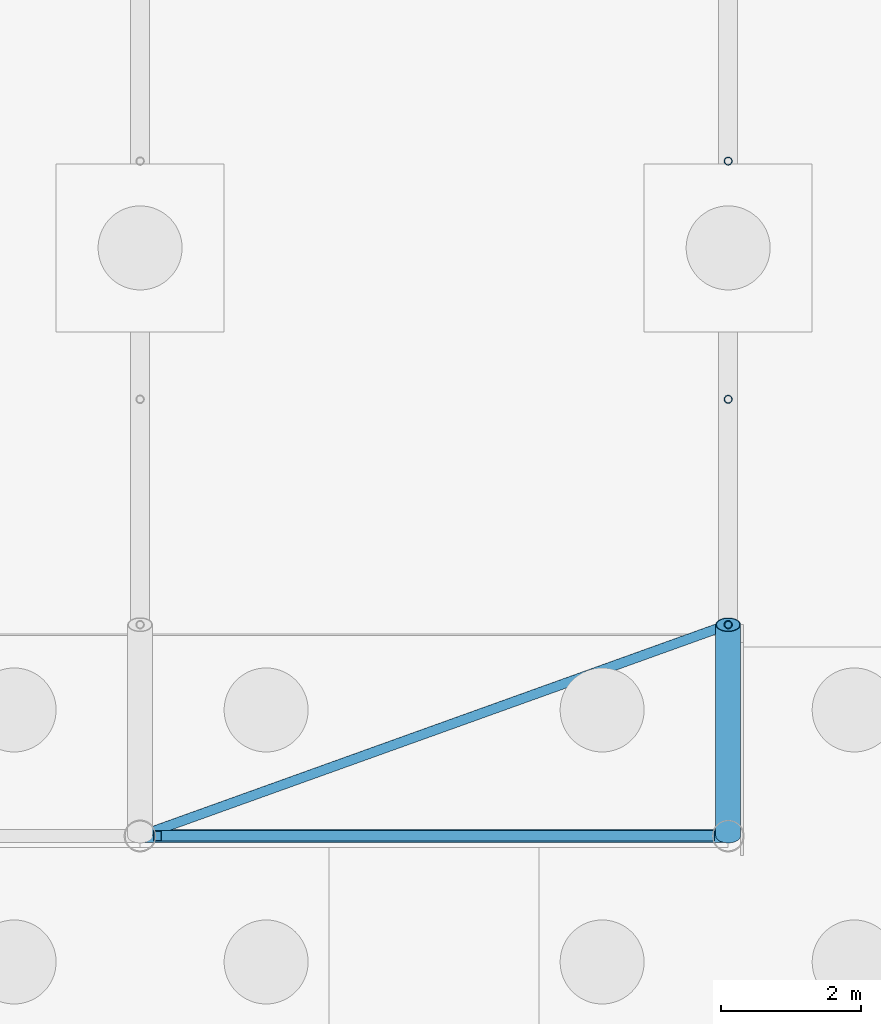
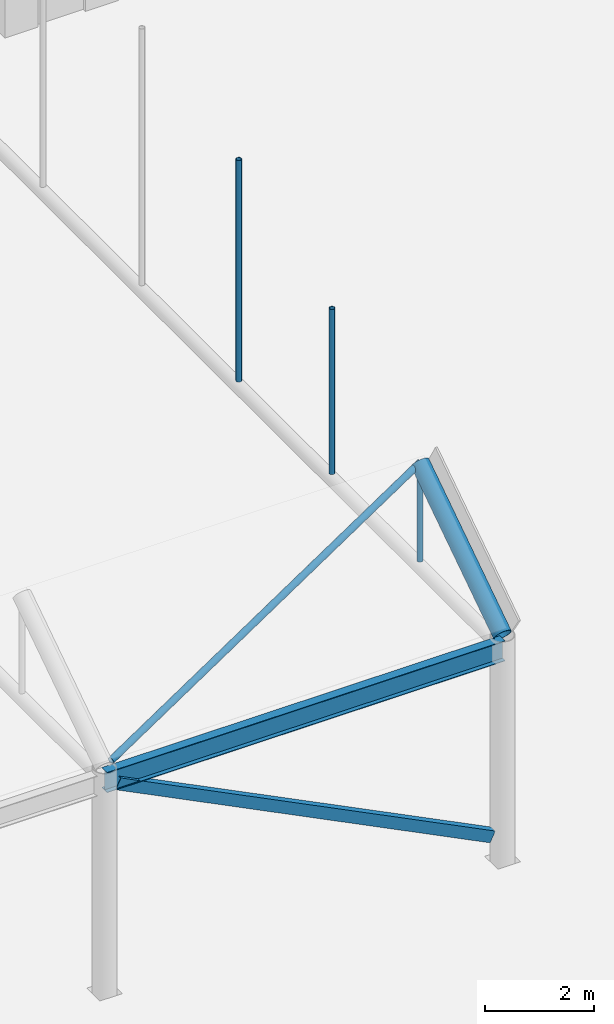
# One storey, part 64 of 212: 6 members, 1 beam.
"""IFC4 building model written with IfcOpenShell, lengths in metres."""

import ifcopenshell
import ifcopenshell.guid

model = None  # the IFC model being written
_history = None  # IfcOwnerHistory: only IFC2X3 demands one
_inside = {}  # id of a spatial element -> (the spatial element, [elements in it])
_under = {}  # id of a project, library or spatial element -> (it, [spatial elements below it])
_declared = {}  # id of a project -> (the project, [libraries it declares])
_typed = {}  # id of a type object -> (the type object, [elements of that type])
_made_of = {}  # id of a material, layer set ... -> (it, [elements and type objects made of it])


def new_model(schema):
    """Start an empty IFC model of exactly this schema.

    Asked for "IFC4X3", IfcOpenShell would pick the latest addendum, in which some entities
    have other attributes; the version numbers below select the first issue.
    IFC2X3 requires an IfcOwnerHistory on every rooted entity: one is made here for all.
    """
    global model, _history
    if schema == "IFC4X3":
        model = ifcopenshell.file(schema_version=(4, 3, 0, 0))
    else:
        model = ifcopenshell.file(schema=schema)
    _inside.clear()
    _under.clear()
    _declared.clear()
    _typed.clear()
    _made_of.clear()
    _history = None
    if model.schema == "IFC2X3":
        org = make("IfcOrganization", Name="unknown")
        user = make(
            "IfcPersonAndOrganization",
            ThePerson=make("IfcPerson", FamilyName="unknown"),
            TheOrganization=org,
        )
        app = make(
            "IfcApplication",
            ApplicationDeveloper=org,
            Version="unknown",
            ApplicationFullName="unknown",
            ApplicationIdentifier="unknown",
        )
        _history = make(
            "IfcOwnerHistory",
            OwningUser=user,
            OwningApplication=app,
            ChangeAction="ADDED",
            CreationDate=0,
        )
    return model


def make(cls, **values):
    """One entity of the class cls with the attributes given. An attribute that is None is left unset."""
    return model.create_entity(
        cls, **{name: value for name, value in values.items() if value is not None}
    )


def rooted(cls, **values):
    """An entity with a GlobalId (a new one), such as an element, a storey or a relation."""
    return make(cls, GlobalId=ifcopenshell.guid.new(), OwnerHistory=_history, **values)


def si_unit(unit_type, name, prefix=None):
    """IfcSIUnit, for example si_unit("LENGTHUNIT", "METRE", prefix="MILLI")."""
    return make("IfcSIUnit", UnitType=unit_type, Prefix=prefix, Name=name)


def assignment(units):
    """IfcUnitAssignment: the units of a project."""
    return None if units is None else make("IfcUnitAssignment", Units=units)


def point(xyz):
    """IfcCartesianPoint."""
    return None if xyz is None else make("IfcCartesianPoint", Coordinates=xyz)


def direction(xyz):
    """IfcDirection."""
    return None if xyz is None else make("IfcDirection", DirectionRatios=xyz)


def frame(location, z_axis=None, x_axis=None):
    """IfcAxis2Placement3D, a coordinate frame: its origin and axes. An axis left out is left unset."""
    return make(
        "IfcAxis2Placement3D",
        Location=point(location),
        Axis=direction(z_axis),
        RefDirection=direction(x_axis),
    )


def frame_2d(location, x_axis=None):
    """IfcAxis2Placement2D, a coordinate frame in the plane: its origin and x axis."""
    return make(
        "IfcAxis2Placement2D", Location=point(location), RefDirection=direction(x_axis)
    )


def origin():
    """The frame at (0, 0, 0) with its axes left unset."""
    return frame((0.0, 0.0, 0.0))


def origin_2d():
    """The frame at (0, 0) in the plane with its x axis left unset."""
    return frame_2d((0.0, 0.0))


def place(relative_to, where):
    """IfcLocalPlacement: puts the frame where relative to a parent placement (None: the world)."""
    return make(
        "IfcLocalPlacement", PlacementRelTo=relative_to, RelativePlacement=where
    )


def context(
    kind, dimensions, precision=None, world=None, true_north=None, identifier=None
):
    """IfcGeometricRepresentationContext, for example the 3D "Model" context."""
    return make(
        "IfcGeometricRepresentationContext",
        ContextIdentifier=identifier,
        ContextType=kind,
        CoordinateSpaceDimension=dimensions,
        Precision=precision,
        WorldCoordinateSystem=world,
        TrueNorth=true_north,
    )


def subcontext(parent, identifier, kind, view, scale=None):
    """IfcGeometricRepresentationSubContext, for example "Body" below "Model"."""
    return make(
        "IfcGeometricRepresentationSubContext",
        ContextIdentifier=identifier,
        ContextType=kind,
        ParentContext=parent,
        TargetScale=scale,
        TargetView=view,
    )


def project(units=None, contexts=None):
    """IfcProject with its units and contexts."""
    return rooted(
        "IfcProject",
        Name="project",
        RepresentationContexts=contexts,
        UnitsInContext=assignment(units),
    )


def spatial(cls, under=None, at=None, **own):
    """A site, building, storey or space (cls), placed at a placement, below another one or the project."""
    s = rooted(cls, ObjectPlacement=at, **own)
    if under is not None:
        _under.setdefault(under.id(), (under, []))[1].append(s)
    return s


def profile(cls, at=None, kind="AREA", **sizes):
    """A parametric profile (cls). Its sizes go by their IFC names, for example OverallWidth=200.0."""
    return make(cls, ProfileType=kind, Position=at, **sizes)


def hollow_rectangle(**sizes):
    """IfcRectangleHollowProfileDef."""
    return profile("IfcRectangleHollowProfileDef", **sizes)


def hollow_circle(**sizes):
    """IfcCircleHollowProfileDef."""
    return profile("IfcCircleHollowProfileDef", **sizes)


def i_section(**sizes):
    """IfcIShapeProfileDef."""
    return profile("IfcIShapeProfileDef", **sizes)


def extrude(swept, where, along, depth):
    """IfcExtrudedAreaSolid: the profile swept, set in the frame where, extruded along a direction by depth."""
    return make(
        "IfcExtrudedAreaSolid",
        SweptArea=swept,
        Position=where,
        ExtrudedDirection=direction(along),
        Depth=depth,
    )


def shape(context_of_items, identifier, shape_type, items):
    """IfcShapeRepresentation: the items that make up one representation, for example the "Body"."""
    return make(
        "IfcShapeRepresentation",
        ContextOfItems=context_of_items,
        RepresentationIdentifier=identifier,
        RepresentationType=shape_type,
        Items=items,
    )


def material(Name=None, Category=None):
    """IfcMaterial."""
    return make("IfcMaterial", Name=Name, Category=Category)


def material_profile(
    of_material, cross_section, Name=None, Category=None, Priority=None
):
    """IfcMaterialProfile: a cross section and its material."""
    return make(
        "IfcMaterialProfile",
        Name=Name,
        Material=of_material,
        Profile=cross_section,
        Priority=Priority,
        Category=Category,
    )


def profile_set(profiles, Name=None, composite=None):
    """IfcMaterialProfileSet."""
    return make(
        "IfcMaterialProfileSet",
        Name=Name,
        MaterialProfiles=profiles,
        CompositeProfile=composite,
    )


def made_of(thing, what):
    """Note that an element or type object is made of a material, layer set ...; save() writes the relation."""
    if what is not None:
        _made_of.setdefault(what.id(), (what, []))[1].append(thing)
    return thing


def type_object(cls, material=None, **own):
    """A type object (cls), such as IfcWallType, which elements share."""
    return made_of(rooted(cls, **own), material)


def element(
    cls,
    number,
    at=None,
    inside=None,
    cuts=None,
    type_object=None,
    material=None,
    context=None,
    identifier="Body",
    shape_type=None,
    held_by="IfcProductDefinitionShape",
    body=None,
    shapes=None,
    **own,
):
    """One element of the class cls, such as IfcWall. Its Tag is "e" and its number.

    at: its placement. inside: the storey or other place that contains it. cuts: it is an
    opening in that element (IfcRelVoidsElement). A single representation is given by context,
    identifier, shape_type and body (its items); several are given by shapes. held_by: the class
    of the entity that holds the representations. save() writes the other relations.
    """
    e = rooted(cls, Tag="e%d" % number, ObjectPlacement=at, **own)
    if body is not None:
        shapes = [shape(context, identifier, shape_type, body)]
    if shapes is not None:
        e.Representation = make(held_by, Representations=shapes)
    if inside is not None:
        _inside.setdefault(inside.id(), (inside, []))[1].append(e)
    if cuts is not None:
        rooted(
            "IfcRelVoidsElement", RelatingBuildingElement=cuts, RelatedOpeningElement=e
        )
    if type_object is not None:
        _typed.setdefault(type_object.id(), (type_object, []))[1].append(e)
    return made_of(e, material)


def aggregate(whole, parts):
    """IfcRelAggregates: a whole, such as a stair, and the parts it consists of."""
    return rooted("IfcRelAggregates", RelatingObject=whole, RelatedObjects=parts)


def save(model, path):
    """Write the relations noted so far, then the file.

    IfcRelAggregates (storeys below a building ...), IfcRelContainedInSpatialStructure (elements
    in a storey), IfcRelDefinesByType, IfcRelAssociatesMaterial and IfcRelDeclares: one each for
    every whole, place, type object, material and project.
    """
    for whole, parts in _under.values():
        aggregate(whole, parts)
    for where, things in _inside.values():
        rooted(
            "IfcRelContainedInSpatialStructure",
            RelatedElements=things,
            RelatingStructure=where,
        )
    for kind, things in _typed.values():
        rooted("IfcRelDefinesByType", RelatedObjects=things, RelatingType=kind)
    for what, things in _made_of.values():
        rooted("IfcRelAssociatesMaterial", RelatedObjects=things, RelatingMaterial=what)
    for by, libraries in _declared.values():
        rooted("IfcRelDeclares", RelatingContext=by, RelatedDefinitions=libraries)
    model.write(path)


model = new_model("IFC4")

# Units and contexts
model_context = context("Model", 3, precision=1e-05, world=origin(), true_north=direction((0.0, 1.0)))
body_context = subcontext(model_context, "Body", "Model", "MODEL_VIEW")
ifc_project = project(units=[si_unit("LENGTHUNIT", "METRE"), si_unit("AREAUNIT", "SQUARE_METRE"), si_unit("VOLUMEUNIT", "CUBIC_METRE"), si_unit("PLANEANGLEUNIT", "RADIAN"), si_unit("MASSUNIT", "GRAM", prefix="KILO")], contexts=[model_context])

# Site, building, storey
site_placement = place(None, origin())
site = spatial("IfcSite", under=ifc_project, at=site_placement, CompositionType="ELEMENT")
building_placement = place(site_placement, origin())
building = spatial("IfcBuilding", under=site, at=building_placement, Name="Catenary Quay Ferry Terminal", CompositionType="ELEMENT")
storey_placement = place(building_placement, origin())
storey = spatial("IfcBuildingStorey", under=building, at=storey_placement, Name="L00", CompositionType="ELEMENT", Elevation=0.0)

# Beam
ifc_material_1 = material(Name="Steel S355", Category="steel")
ifc_material_profile_1 = material_profile(ifc_material_1, i_section(OverallWidth=0.18994140625, OverallDepth=0.453369140625, WebThickness=0.008544921875, FlangeThickness=0.0126953125, at=origin_2d()), Name="UB 457x191x67")
ifc_profile_set_1 = profile_set([ifc_material_profile_1], Name="Steel S355")
beam_type = type_object("IfcBeamType", Name="B1 UB 457x191x67", PredefinedType="BEAM", material=ifc_profile_set_1)
beam_placement = place(storey_placement, frame((92.39990234375, 16.800048828125, 4.699951171875), z_axis=(1.0, 0.0, 0.0), x_axis=(0.0, 1.0, 0.0)))
element("IfcBeam", 1, at=beam_placement, inside=storey, type_object=beam_type, Name="Eaves beam B-CA3-10", PredefinedType="BEAM", context=body_context, shape_type="SweptSolid", body=[
    extrude(i_section(OverallWidth=0.18994140625, OverallDepth=0.453369140625, WebThickness=0.008544921875, FlangeThickness=0.0126953125, at=origin_2d()), origin(), (0.0, 0.0, 1.0), 8.400146484375),
])

# Members
ifc_material_2 = material(Name="Steel S355", Category="steel")
ifc_material_profile_2 = material_profile(ifc_material_2, hollow_circle(Radius=0.06982421875, WallThickness=0.008056640625, at=origin_2d()), Name="CHS 139.7x8")
ifc_profile_set_2 = profile_set([ifc_material_profile_2], Name="Steel S355")
member_type_1 = type_object("IfcMemberType", Name="BR1 CHS 139.7x8", PredefinedType="BRACE", material=ifc_profile_set_2)
member_1_placement = place(storey_placement, frame((92.572021484375, 16.862060546875, 5.041015625), z_axis=(0.918046067041, 0.329823208704, 0.220018339668), x_axis=(-0.338108303974, 0.941107206849, 0.0)))
element("IfcMember", 2, at=member_1_placement, inside=storey, type_object=member_type_1, Name="Roof brace BR-CA-10-01", PredefinedType="BRACE", context=body_context, shape_type="SweptSolid", body=[
    extrude(hollow_circle(Radius=0.06982421875, WallThickness=0.008056640625, at=origin_2d()), origin(), (0.0, 0.0, 1.0), 8.962646484375),
])
ifc_material_3 = material(Name="Steel S355", Category="steel")
ifc_material_profile_3 = material_profile(ifc_material_3, hollow_rectangle(XDim=0.14990234375, YDim=0.25, WallThickness=0.010009765625, at=origin_2d()), Name="RHS 250x150x10")
ifc_profile_set_3 = profile_set([ifc_material_profile_3], Name="Steel S355")
member_type_2 = type_object("IfcMemberType", Name="BR2 RHS 250x150x10", PredefinedType="BRACE", material=ifc_profile_set_3)
member_2_placement = place(storey_placement, frame((100.550048828125, 16.800048828125, 0.625), z_axis=(-0.894432719117, 0.0, 0.447202539095), x_axis=(0.0, -1.0, 0.0)))
element("IfcMember", 3, at=member_2_placement, inside=storey, type_object=member_type_2, Name="Wall brace BR-CA3-2", PredefinedType="BRACE", context=body_context, shape_type="SweptSolid", body=[
    extrude(hollow_rectangle(XDim=0.14990234375, YDim=0.25, WallThickness=0.010009765625, at=origin_2d()), origin(), (0.0, 0.0, 1.0), 8.83251953125),
])
ifc_material_4 = material(Name="Steel S355", Category="steel")
ifc_material_profile_4 = material_profile(ifc_material_4, hollow_circle(Radius=0.05712890625, WallThickness=0.00634765625, at=origin_2d()), Name="CHS 114.3x6.3")
ifc_profile_set_4 = profile_set([ifc_material_profile_4], Name="Steel S355")
member_type_3 = type_object("IfcMemberType", Name="HG1 CHS 114.3x6.3", PredefinedType="POST", material=ifc_profile_set_4)
member_3_placement = place(storey_placement, frame((100.800048828125, 19.818115234375, 4.830078125), z_axis=(0.0, 0.0, 1.0), x_axis=(1.0, 0.0, 0.0)))
element("IfcMember", 4, at=member_3_placement, inside=storey, type_object=member_type_3, Name="Hanger CA-11-01", PredefinedType="POST", context=body_context, shape_type="SweptSolid", body=[
    extrude(hollow_circle(Radius=0.05712890625, WallThickness=0.00634765625, at=origin_2d()), origin(), (0.0, 0.0, 1.0), 2.010986328125),
])
member_4_placement = place(storey_placement, frame((100.800048828125, 23.0380859375, 4.830078125), z_axis=(0.0, 0.0, 1.0), x_axis=(1.0, 0.0, 0.0)))
element("IfcMember", 5, at=member_4_placement, inside=storey, type_object=member_type_3, Name="Hanger CA-11-02", PredefinedType="POST", context=body_context, shape_type="SweptSolid", body=[
    extrude(hollow_circle(Radius=0.05712890625, WallThickness=0.00634765625, at=origin_2d()), origin(), (0.0, 0.0, 1.0), 3.681884765625),
])
member_5_placement = place(storey_placement, frame((100.800048828125, 26.43994140625, 4.830078125), z_axis=(0.0, 0.0, 1.0), x_axis=(1.0, 0.0, 0.0)))
element("IfcMember", 6, at=member_5_placement, inside=storey, type_object=member_type_3, Name="Hanger CA-11-03", PredefinedType="POST", context=body_context, shape_type="SweptSolid", body=[
    extrude(hollow_circle(Radius=0.05712890625, WallThickness=0.00634765625, at=origin_2d()), origin(), (0.0, 0.0, 1.0), 4.94287109375),
])
ifc_material_5 = material(Name="Steel S355", Category="steel")
ifc_material_profile_5 = material_profile(ifc_material_5, hollow_circle(Radius=0.177734375, WallThickness=0.012451171875, at=origin_2d()), Name="CHS 355.6x12.5")
ifc_profile_set_5 = profile_set([ifc_material_profile_5], Name="Steel S355")
member_type_4 = type_object("IfcMemberType", Name="VR1 CHS 355.6x12.5", PredefinedType="RAFTER", material=ifc_profile_set_5)
member_6_placement = place(storey_placement, frame((100.800048828125, 16.800048828125, 5.0), z_axis=(0.0, 0.831936388081, 0.554871017613), x_axis=(-1.0, 0.0, 0.0)))
element("IfcMember", 7, at=member_6_placement, inside=storey, type_object=member_type_4, Name="rib CA-11-01", PredefinedType="RAFTER", context=body_context, shape_type="SweptSolid", body=[
    extrude(hollow_circle(Radius=0.177734375, WallThickness=0.012451171875, at=origin_2d()), origin(), (0.0, 0.0, 1.0), 3.627685546875),
])

save(model, "model.ifc")
